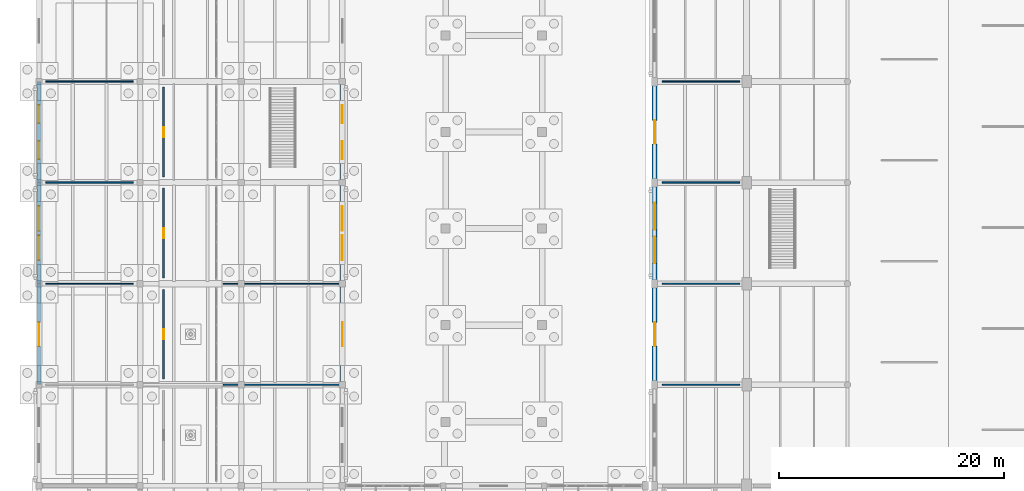
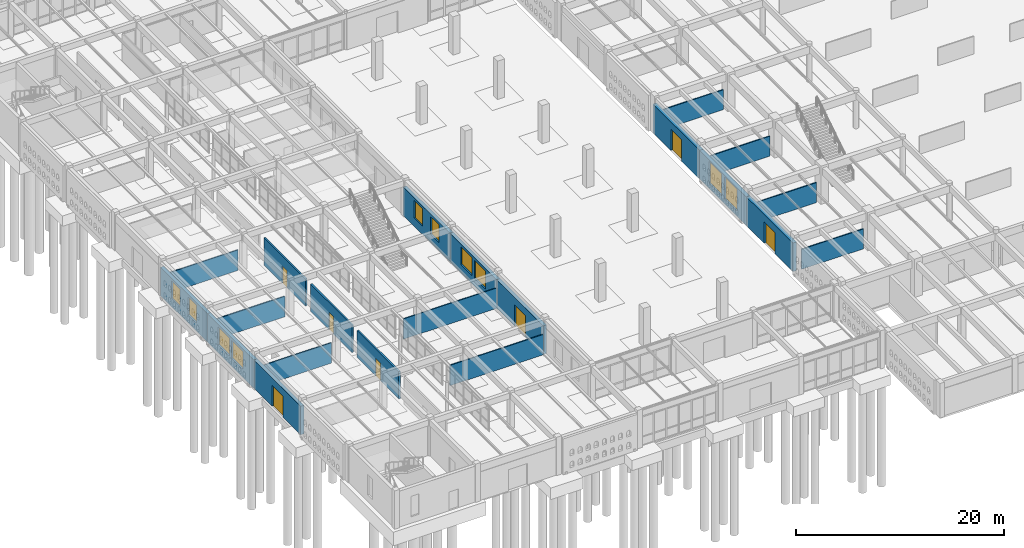
# One storey, part 160 of 186: 21 walls, 10 windows, 7 doors, 17 openings.
"""IFC4 building model written with IfcOpenShell, lengths in metres."""

from ifc_helpers import new_model, si_unit, direction, frame, frame_2d, origin, place, context, subcontext, project, spatial, rectangle, extrude, material, layer, layer_set, type_object, element, fill, save


model = new_model("IFC4")

# Units and contexts
model_context = context("Model", 3, precision=1e-05, world=origin(), true_north=direction((0.0, 1.0)))
body_context = subcontext(model_context, "Body", "Model", "MODEL_VIEW")
ifc_project = project(units=[si_unit("LENGTHUNIT", "METRE"), si_unit("AREAUNIT", "SQUARE_METRE"), si_unit("VOLUMEUNIT", "CUBIC_METRE"), si_unit("PLANEANGLEUNIT", "RADIAN"), si_unit("MASSUNIT", "GRAM", prefix="KILO")], contexts=[model_context])

# Site, building, storey
site_placement = place(None, origin())
site = spatial("IfcSite", under=ifc_project, at=site_placement, CompositionType="ELEMENT")
building_placement = place(site_placement, origin())
building = spatial("IfcBuilding", under=site, at=building_placement, Name="Ornek Quay Market", CompositionType="ELEMENT")
storey_placement = place(building_placement, origin())
storey = spatial("IfcBuildingStorey", under=building, at=storey_placement, Name="L00", CompositionType="ELEMENT", Elevation=0.0)

# Wall, opening, door
ifc_material_1 = material(Name="Autoclaved aerated concrete masonry", Category="masonry")
ifc_layer_1 = layer(ifc_material_1, 0.179931640625, Name="Autoclaved aerated concrete masonry", Category="masonry")
ifc_layer_set_1 = layer_set([ifc_layer_1], Name="Autoclaved aerated concrete masonry")
wall_type_1 = type_object("IfcWallType", Name="WL-CORR-180", PredefinedType="STANDARD", material=ifc_layer_set_1)
wall_1_placement = place(storey_placement, frame((11.10009765625, 38.5, 0.0), z_axis=(0.0, 0.0, 1.0), x_axis=(0.0, 1.0, 0.0)))
wall_1 = element("IfcWall", 1, at=wall_1_placement, inside=storey, type_object=wall_type_1, Name="Interior wall W-INT1-227", PredefinedType="STANDARD", context=body_context, shape_type="SweptSolid", body=[
    extrude(rectangle(XDim=8.0, YDim=0.179931640625, at=frame_2d((4.0, 0.0))), origin(), (0.0, 0.0, 1.0), 3.199951171875),
])
opening_1_placement = place(wall_1_placement, frame((3.550048828125, 0.0, 0.0)))
opening_1 = element("IfcOpeningElement", 2, at=opening_1_placement, cuts=wall_1, Name="Opening ID-05-100", PredefinedType="OPENING", context=body_context, shape_type="SweptSolid", body=[
    extrude(rectangle(XDim=0.89990234375, YDim=2.050048828125, at=frame_2d((0.449951171875, 1.02490234375))), frame((0.0, 0.099853515625, 0.0), z_axis=(0.0, -1.0, 0.0), x_axis=(1.0, 0.0, 0.0)), (0.0, 0.0, 1.0), 0.199951171875),
])
ifc_material_2 = material(Name="Timber market stall service door", Category="wood")
door_type_1 = type_object("IfcDoorType", Name="DR-INT-STALL-900x2050", OperationType="NOTDEFINED", PredefinedType="DOOR", material=ifc_material_2)
door_1_placement = place(opening_1_placement, origin())
door_1 = element("IfcDoor", 3, at=door_1_placement, inside=storey, type_object=door_type_1, Name="Interior door ID-05-100", OperationType="SINGLE_SWING_LEFT", OverallHeight=2.050048828125, OverallWidth=0.89990234375, PredefinedType="DOOR", context=body_context, shape_type="SweptSolid", body=[
    extrude(rectangle(XDim=0.89990234375, YDim=2.050048828125, at=frame_2d((0.449951171875, 1.02490234375))), frame((0.0, 0.02490234375, 0.0), z_axis=(0.0, -1.0, 0.0), x_axis=(1.0, 0.0, 0.0)), (0.0, 0.0, 1.0), 0.050048828125),
])
fill(opening_1, door_1)

wall_2_placement = place(storey_placement, frame((11.10009765625, 47.5, 0.0), z_axis=(0.0, 0.0, 1.0), x_axis=(0.0, 1.0, 0.0)))
wall_2 = element("IfcWall", 4, at=wall_2_placement, inside=storey, type_object=wall_type_1, Name="Interior wall W-INT1-228", PredefinedType="STANDARD", context=body_context, shape_type="SweptSolid", body=[
    extrude(rectangle(XDim=8.0, YDim=0.179931640625, at=frame_2d((4.0, 0.0))), origin(), (0.0, 0.0, 1.0), 3.199951171875),
])
opening_2_placement = place(wall_2_placement, frame((3.550048828125, 0.0, 0.0)))
opening_2 = element("IfcOpeningElement", 5, at=opening_2_placement, cuts=wall_2, Name="Opening ID-05-101", PredefinedType="OPENING", context=body_context, shape_type="SweptSolid", body=[
    extrude(rectangle(XDim=0.89990234375, YDim=2.050048828125, at=frame_2d((0.449951171875, 1.02490234375))), frame((0.0, 0.099853515625, 0.0), z_axis=(0.0, -1.0, 0.0), x_axis=(1.0, 0.0, 0.0)), (0.0, 0.0, 1.0), 0.199951171875),
])
door_2_placement = place(opening_2_placement, origin())
door_2 = element("IfcDoor", 6, at=door_2_placement, inside=storey, type_object=door_type_1, Name="Interior door ID-05-101", OperationType="SINGLE_SWING_RIGHT", OverallHeight=2.050048828125, OverallWidth=0.89990234375, PredefinedType="DOOR", context=body_context, shape_type="SweptSolid", body=[
    extrude(rectangle(XDim=0.89990234375, YDim=2.050048828125, at=frame_2d((0.449951171875, 1.02490234375))), frame((0.0, 0.02490234375, 0.0), z_axis=(0.0, -1.0, 0.0), x_axis=(1.0, 0.0, 0.0)), (0.0, 0.0, 1.0), 0.050048828125),
])
fill(opening_2, door_2)

wall_3_placement = place(storey_placement, frame((11.10009765625, 56.5, 0.0), z_axis=(0.0, 0.0, 1.0), x_axis=(0.0, 1.0, 0.0)))
wall_3 = element("IfcWall", 7, at=wall_3_placement, inside=storey, type_object=wall_type_1, Name="Interior wall W-INT1-229", PredefinedType="STANDARD", context=body_context, shape_type="SweptSolid", body=[
    extrude(rectangle(XDim=8.0, YDim=0.179931640625, at=frame_2d((4.0, 0.0))), origin(), (0.0, 0.0, 1.0), 3.199951171875),
])
opening_3_placement = place(wall_3_placement, frame((3.550048828125, 0.0, 0.0)))
opening_3 = element("IfcOpeningElement", 8, at=opening_3_placement, cuts=wall_3, Name="Opening ID-05-102", PredefinedType="OPENING", context=body_context, shape_type="SweptSolid", body=[
    extrude(rectangle(XDim=0.89990234375, YDim=2.050048828125, at=frame_2d((0.449951171875, 1.02490234375))), frame((0.0, 0.099853515625, 0.0), z_axis=(0.0, -1.0, 0.0), x_axis=(1.0, 0.0, 0.0)), (0.0, 0.0, 1.0), 0.199951171875),
])
door_3_placement = place(opening_3_placement, origin())
door_3 = element("IfcDoor", 9, at=door_3_placement, inside=storey, type_object=door_type_1, Name="Interior door ID-05-102", OperationType="SINGLE_SWING_LEFT", OverallHeight=2.050048828125, OverallWidth=0.89990234375, PredefinedType="DOOR", context=body_context, shape_type="SweptSolid", body=[
    extrude(rectangle(XDim=0.89990234375, YDim=2.050048828125, at=frame_2d((0.449951171875, 1.02490234375))), frame((0.0, 0.02490234375, 0.0), z_axis=(0.0, -1.0, 0.0), x_axis=(1.0, 0.0, 0.0)), (0.0, 0.0, 1.0), 0.050048828125),
])
fill(opening_3, door_3)

ifc_material_3 = material(Name="Frost-resistant facing clay brick M200 F100", Category="masonry")
ifc_layer_2 = layer(ifc_material_3, 0.419921875, Name="Frost-resistant facing clay brick M200 F100", Category="masonry")
ifc_layer_set_2 = layer_set([ifc_layer_2], Name="Frost-resistant facing clay brick M200 F100")
wall_type_2 = type_object("IfcWallType", Name="WL-EXT-HALL-420", PredefinedType="STANDARD", material=ifc_layer_set_2)
wall_4_placement = place(storey_placement, frame((54.800048828125, 38.0, 0.0), z_axis=(0.0, 0.0, 1.0), x_axis=(0.0, 1.0, 0.0)))
wall_4 = element("IfcWall", 10, at=wall_4_placement, inside=storey, type_object=wall_type_2, Name="Exterior wall EW-114", PredefinedType="STANDARD", context=body_context, shape_type="SweptSolid", body=[
    extrude(rectangle(XDim=9.0, YDim=0.419921875, at=frame_2d((4.5, 0.0))), origin(), (0.0, 0.0, 1.0), 3.3701171875),
])
opening_4_placement = place(wall_4_placement, frame((3.449951171875, 0.0, 0.0)))
opening_4 = element("IfcOpeningElement", 11, at=opening_4_placement, cuts=wall_4, Name="Opening ED-02-029", PredefinedType="OPENING", context=body_context, shape_type="SweptSolid", body=[
    extrude(rectangle(XDim=2.10009765625, YDim=2.5, at=frame_2d((1.050048828125, 1.25))), frame((0.0, 0.219970703125, 0.0), z_axis=(0.0, -1.0, 0.0), x_axis=(1.0, 0.0, 0.0)), (0.0, 0.0, 1.0), 0.43994140625),
])
ifc_material_4 = material(Name="Anodised bronze aluminium and triple glass", Category="aluminium")
door_type_2 = type_object("IfcDoorType", Name="DR-EXT-DBL-2100x2500", OperationType="DOUBLE_DOOR_SINGLE_SWING", PredefinedType="DOOR", material=ifc_material_4)
door_4_placement = place(opening_4_placement, origin())
door_4 = element("IfcDoor", 12, at=door_4_placement, inside=storey, type_object=door_type_2, Name="Exterior door ED-02-029", OperationType="DOUBLE_DOOR_SINGLE_SWING", OverallHeight=2.5, OverallWidth=2.10009765625, PredefinedType="DOOR", context=body_context, shape_type="SweptSolid", body=[
    extrude(rectangle(XDim=2.10009765625, YDim=2.5, at=frame_2d((1.050048828125, 1.25))), frame((0.0, 0.02490234375, 0.0), z_axis=(0.0, -1.0, 0.0), x_axis=(1.0, 0.0, 0.0)), (0.0, 0.0, 1.0), 0.050048828125),
])
fill(opening_4, door_4)

# Wall, openings, windows
wall_5_placement = place(storey_placement, frame((54.800048828125, 47.0, 0.0), z_axis=(0.0, 0.0, 1.0), x_axis=(0.0, 1.0, 0.0)))
wall_5 = element("IfcWall", 13, at=wall_5_placement, inside=storey, type_object=wall_type_2, Name="Exterior wall EW-115", PredefinedType="STANDARD", context=body_context, shape_type="SweptSolid", body=[
    extrude(rectangle(XDim=9.0, YDim=0.419921875, at=frame_2d((4.5, 0.0))), origin(), (0.0, 0.0, 1.0), 3.3701171875),
])
opening_5_placement = place(wall_5_placement, frame((1.800048828125, 0.0, 0.590087890625)))
opening_5 = element("IfcOpeningElement", 14, at=opening_5_placement, cuts=wall_5, Name="Opening W-01-074", PredefinedType="OPENING", context=body_context, shape_type="SweptSolid", body=[
    extrude(rectangle(XDim=2.39990234375, YDim=2.60009765625, at=frame_2d((1.199951171875, 1.300048828125))), frame((0.0, 0.219970703125, 0.0), z_axis=(0.0, -1.0, 0.0), x_axis=(1.0, 0.0, 0.0)), (0.0, 0.0, 1.0), 0.43994140625),
])
opening_6_placement = place(wall_5_placement, frame((4.800048828125, 0.0, 0.590087890625)))
opening_6 = element("IfcOpeningElement", 15, at=opening_6_placement, cuts=wall_5, Name="Opening W-01-075", PredefinedType="OPENING", context=body_context, shape_type="SweptSolid", body=[
    extrude(rectangle(XDim=2.39990234375, YDim=2.60009765625, at=frame_2d((1.199951171875, 1.300048828125))), frame((0.0, 0.219970703125, 0.0), z_axis=(0.0, -1.0, 0.0), x_axis=(1.0, 0.0, 0.0)), (0.0, 0.0, 1.0), 0.43994140625),
])
ifc_material_5 = material(Name="Thermally broken bronze aluminium and triple low-e glass", Category="aluminium")
window_type_1 = type_object("IfcWindowType", Name="WN-HALL-2400x2600", PartitioningType="DOUBLE_PANEL_VERTICAL", PredefinedType="WINDOW", material=ifc_material_5)
window_1_placement = place(opening_5_placement, origin())
window_1 = element("IfcWindow", 16, at=window_1_placement, inside=storey, type_object=window_type_1, Name="Window W-01-074", OverallHeight=2.60009765625, OverallWidth=2.39990234375, PartitioningType="SINGLE_PANEL", PredefinedType="WINDOW", context=body_context, shape_type="SweptSolid", body=[
    extrude(rectangle(XDim=2.39990234375, YDim=2.60009765625, at=frame_2d((1.199951171875, 1.300048828125))), frame((0.0, 0.030029296875, 0.0), z_axis=(0.0, -1.0, 0.0), x_axis=(1.0, 0.0, 0.0)), (0.0, 0.0, 1.0), 0.06005859375),
])
fill(opening_5, window_1)
window_2_placement = place(opening_6_placement, origin())
window_2 = element("IfcWindow", 17, at=window_2_placement, inside=storey, type_object=window_type_1, Name="Window W-01-075", OverallHeight=2.60009765625, OverallWidth=2.39990234375, PartitioningType="SINGLE_PANEL", PredefinedType="WINDOW", context=body_context, shape_type="SweptSolid", body=[
    extrude(rectangle(XDim=2.39990234375, YDim=2.60009765625, at=frame_2d((1.199951171875, 1.300048828125))), frame((0.0, 0.030029296875, 0.0), z_axis=(0.0, -1.0, 0.0), x_axis=(1.0, 0.0, 0.0)), (0.0, 0.0, 1.0), 0.06005859375),
])
fill(opening_6, window_2)

# Wall, opening, door
wall_6_placement = place(storey_placement, frame((54.800048828125, 56.0, 0.0), z_axis=(0.0, 0.0, 1.0), x_axis=(0.0, 1.0, 0.0)))
wall_6 = element("IfcWall", 18, at=wall_6_placement, inside=storey, type_object=wall_type_2, Name="Exterior wall EW-116", PredefinedType="STANDARD", context=body_context, shape_type="SweptSolid", body=[
    extrude(rectangle(XDim=9.0, YDim=0.419921875, at=frame_2d((4.5, 0.0))), origin(), (0.0, 0.0, 1.0), 3.3701171875),
])
opening_7_placement = place(wall_6_placement, frame((3.449951171875, 0.0, 0.0)))
opening_7 = element("IfcOpeningElement", 19, at=opening_7_placement, cuts=wall_6, Name="Opening ED-02-030", PredefinedType="OPENING", context=body_context, shape_type="SweptSolid", body=[
    extrude(rectangle(XDim=2.10009765625, YDim=2.5, at=frame_2d((1.050048828125, 1.25))), frame((0.0, 0.219970703125, 0.0), z_axis=(0.0, -1.0, 0.0), x_axis=(1.0, 0.0, 0.0)), (0.0, 0.0, 1.0), 0.43994140625),
])
door_5_placement = place(opening_7_placement, origin())
door_5 = element("IfcDoor", 20, at=door_5_placement, inside=storey, type_object=door_type_2, Name="Exterior door ED-02-030", OperationType="DOUBLE_DOOR_SINGLE_SWING", OverallHeight=2.5, OverallWidth=2.10009765625, PredefinedType="DOOR", context=body_context, shape_type="SweptSolid", body=[
    extrude(rectangle(XDim=2.10009765625, YDim=2.5, at=frame_2d((1.050048828125, 1.25))), frame((0.0, 0.02490234375, 0.0), z_axis=(0.0, -1.0, 0.0), x_axis=(1.0, 0.0, 0.0)), (0.0, 0.0, 1.0), 0.050048828125),
])
fill(opening_7, door_5)

ifc_layer_3 = layer(ifc_material_3, 0.3798828125, Name="Frost-resistant facing clay brick M200 F100", Category="masonry")
ifc_layer_set_3 = layer_set([ifc_layer_3], Name="Frost-resistant facing clay brick M200 F100")
wall_type_3 = type_object("IfcWallType", Name="WL-EXT-WING-380", PredefinedType="STANDARD", material=ifc_layer_set_3)
wall_7_placement = place(storey_placement, frame((0.0, 38.0, 0.0), z_axis=(0.0, 0.0, 1.0), x_axis=(0.0, 1.0, 0.0)))
wall_7 = element("IfcWall", 21, at=wall_7_placement, inside=storey, type_object=wall_type_3, Name="Exterior wall EW-041", PredefinedType="STANDARD", context=body_context, shape_type="SweptSolid", body=[
    extrude(rectangle(XDim=9.0, YDim=0.3798828125, at=frame_2d((4.5, 0.0))), origin(), (0.0, 0.0, 1.0), 3.35009765625),
])
opening_8_placement = place(wall_7_placement, frame((3.449951171875, 0.0, 0.0)))
opening_8 = element("IfcOpeningElement", 22, at=opening_8_placement, cuts=wall_7, Name="Opening ED-02-002", PredefinedType="OPENING", context=body_context, shape_type="SweptSolid", body=[
    extrude(rectangle(XDim=2.10009765625, YDim=2.5, at=frame_2d((1.050048828125, 1.25))), frame((0.0, 0.199951171875, 0.0), z_axis=(0.0, -1.0, 0.0), x_axis=(1.0, 0.0, 0.0)), (0.0, 0.0, 1.0), 0.39990234375),
])
door_6_placement = place(opening_8_placement, origin())
door_6 = element("IfcDoor", 23, at=door_6_placement, inside=storey, type_object=door_type_2, Name="Exterior door ED-02-002", OperationType="DOUBLE_DOOR_SINGLE_SWING", OverallHeight=2.5, OverallWidth=2.10009765625, PredefinedType="DOOR", context=body_context, shape_type="SweptSolid", body=[
    extrude(rectangle(XDim=2.10009765625, YDim=2.5, at=frame_2d((1.050048828125, 1.25))), frame((0.0, 0.02490234375, 0.0), z_axis=(0.0, -1.0, 0.0), x_axis=(1.0, 0.0, 0.0)), (0.0, 0.0, 1.0), 0.050048828125),
])
fill(opening_8, door_6)

# Wall, openings, windows
wall_8_placement = place(storey_placement, frame((0.0, 47.0, 0.0), z_axis=(0.0, 0.0, 1.0), x_axis=(0.0, 1.0, 0.0)))
wall_8 = element("IfcWall", 24, at=wall_8_placement, inside=storey, type_object=wall_type_3, Name="Exterior wall EW-042", PredefinedType="STANDARD", context=body_context, shape_type="SweptSolid", body=[
    extrude(rectangle(XDim=9.0, YDim=0.3798828125, at=frame_2d((4.5, 0.0))), origin(), (0.0, 0.0, 1.0), 3.35009765625),
])
opening_9_placement = place(wall_8_placement, frame((2.10009765625, 0.0, 0.949951171875)))
opening_9 = element("IfcOpeningElement", 25, at=opening_9_placement, cuts=wall_8, Name="Opening W-12-004", PredefinedType="OPENING", context=body_context, shape_type="SweptSolid", body=[
    extrude(rectangle(XDim=2.199951171875, YDim=2.10009765625, at=frame_2d((1.10009765625, 1.050048828125))), frame((0.0, 0.199951171875, 0.0), z_axis=(0.0, -1.0, 0.0), x_axis=(1.0, 0.0, 0.0)), (0.0, 0.0, 1.0), 0.39990234375),
])
opening_10_placement = place(wall_8_placement, frame((4.699951171875, 0.0, 0.949951171875)))
opening_10 = element("IfcOpeningElement", 26, at=opening_10_placement, cuts=wall_8, Name="Opening W-12-005", PredefinedType="OPENING", context=body_context, shape_type="SweptSolid", body=[
    extrude(rectangle(XDim=2.199951171875, YDim=2.10009765625, at=frame_2d((1.10009765625, 1.050048828125))), frame((0.0, 0.199951171875, 0.0), z_axis=(0.0, -1.0, 0.0), x_axis=(1.0, 0.0, 0.0)), (0.0, 0.0, 1.0), 0.39990234375),
])
window_type_2 = type_object("IfcWindowType", Name="WN-WW-2200x2100", PartitioningType="DOUBLE_PANEL_VERTICAL", PredefinedType="WINDOW", material=ifc_material_5)
window_3_placement = place(opening_9_placement, origin())
window_3 = element("IfcWindow", 27, at=window_3_placement, inside=storey, type_object=window_type_2, Name="Window W-12-004", OverallHeight=2.10009765625, OverallWidth=2.199951171875, PartitioningType="SINGLE_PANEL", PredefinedType="WINDOW", context=body_context, shape_type="SweptSolid", body=[
    extrude(rectangle(XDim=2.199951171875, YDim=2.10009765625, at=frame_2d((1.10009765625, 1.050048828125))), frame((0.0, 0.030029296875, 0.0), z_axis=(0.0, -1.0, 0.0), x_axis=(1.0, 0.0, 0.0)), (0.0, 0.0, 1.0), 0.06005859375),
])
fill(opening_9, window_3)
window_4_placement = place(opening_10_placement, origin())
window_4 = element("IfcWindow", 28, at=window_4_placement, inside=storey, type_object=window_type_2, Name="Window W-12-005", OverallHeight=2.10009765625, OverallWidth=2.199951171875, PartitioningType="SINGLE_PANEL", PredefinedType="WINDOW", context=body_context, shape_type="SweptSolid", body=[
    extrude(rectangle(XDim=2.199951171875, YDim=2.10009765625, at=frame_2d((1.10009765625, 1.050048828125))), frame((0.0, 0.030029296875, 0.0), z_axis=(0.0, -1.0, 0.0), x_axis=(1.0, 0.0, 0.0)), (0.0, 0.0, 1.0), 0.06005859375),
])
fill(opening_10, window_4)

wall_9_placement = place(storey_placement, frame((0.0, 56.0, 0.0), z_axis=(0.0, 0.0, 1.0), x_axis=(0.0, 1.0, 0.0)))
wall_9 = element("IfcWall", 29, at=wall_9_placement, inside=storey, type_object=wall_type_3, Name="Exterior wall EW-043", PredefinedType="STANDARD", context=body_context, shape_type="SweptSolid", body=[
    extrude(rectangle(XDim=9.0, YDim=0.3798828125, at=frame_2d((4.5, 0.0))), origin(), (0.0, 0.0, 1.0), 3.35009765625),
])
opening_11_placement = place(wall_9_placement, frame((2.10009765625, 0.0, 0.949951171875)))
opening_11 = element("IfcOpeningElement", 30, at=opening_11_placement, cuts=wall_9, Name="Opening W-13-006", PredefinedType="OPENING", context=body_context, shape_type="SweptSolid", body=[
    extrude(rectangle(XDim=1.60009765625, YDim=2.10009765625, at=frame_2d((0.800048828125, 1.050048828125))), frame((0.0, 0.199951171875, 0.0), z_axis=(0.0, -1.0, 0.0), x_axis=(1.0, 0.0, 0.0)), (0.0, 0.0, 1.0), 0.39990234375),
])
opening_12_placement = place(wall_9_placement, frame((5.300048828125, 0.0, 0.949951171875)))
opening_12 = element("IfcOpeningElement", 31, at=opening_12_placement, cuts=wall_9, Name="Opening W-13-007", PredefinedType="OPENING", context=body_context, shape_type="SweptSolid", body=[
    extrude(rectangle(XDim=1.60009765625, YDim=2.10009765625, at=frame_2d((0.800048828125, 1.050048828125))), frame((0.0, 0.199951171875, 0.0), z_axis=(0.0, -1.0, 0.0), x_axis=(1.0, 0.0, 0.0)), (0.0, 0.0, 1.0), 0.39990234375),
])
window_type_3 = type_object("IfcWindowType", Name="WN-WW-1600x2100", PartitioningType="DOUBLE_PANEL_VERTICAL", PredefinedType="WINDOW", material=ifc_material_5)
window_5_placement = place(opening_11_placement, origin())
window_5 = element("IfcWindow", 32, at=window_5_placement, inside=storey, type_object=window_type_3, Name="Window W-13-006", OverallHeight=2.10009765625, OverallWidth=1.60009765625, PartitioningType="SINGLE_PANEL", PredefinedType="WINDOW", context=body_context, shape_type="SweptSolid", body=[
    extrude(rectangle(XDim=1.60009765625, YDim=2.10009765625, at=frame_2d((0.800048828125, 1.050048828125))), frame((0.0, 0.030029296875, 0.0), z_axis=(0.0, -1.0, 0.0), x_axis=(1.0, 0.0, 0.0)), (0.0, 0.0, 1.0), 0.06005859375),
])
fill(opening_11, window_5)
window_6_placement = place(opening_12_placement, origin())
window_6 = element("IfcWindow", 33, at=window_6_placement, inside=storey, type_object=window_type_3, Name="Window W-13-007", OverallHeight=2.10009765625, OverallWidth=1.60009765625, PartitioningType="SINGLE_PANEL", PredefinedType="WINDOW", context=body_context, shape_type="SweptSolid", body=[
    extrude(rectangle(XDim=1.60009765625, YDim=2.10009765625, at=frame_2d((0.800048828125, 1.050048828125))), frame((0.0, 0.030029296875, 0.0), z_axis=(0.0, -1.0, 0.0), x_axis=(1.0, 0.0, 0.0)), (0.0, 0.0, 1.0), 0.06005859375),
])
fill(opening_12, window_6)

# Wall, opening, door
wall_10_placement = place(storey_placement, frame((27.0, 38.0, 0.0), z_axis=(0.0, 0.0, 1.0), x_axis=(0.0, 1.0, 0.0)))
wall_10 = element("IfcWall", 34, at=wall_10_placement, inside=storey, type_object=wall_type_3, Name="Exterior wall EW-050", PredefinedType="STANDARD", context=body_context, shape_type="SweptSolid", body=[
    extrude(rectangle(XDim=9.0, YDim=0.3798828125, at=frame_2d((4.5, 0.0))), origin(), (0.0, 0.0, 1.0), 3.35009765625),
])
opening_13_placement = place(wall_10_placement, frame((3.449951171875, 0.0, 0.0)))
opening_13 = element("IfcOpeningElement", 35, at=opening_13_placement, cuts=wall_10, Name="Opening ED-02-004", PredefinedType="OPENING", context=body_context, shape_type="SweptSolid", body=[
    extrude(rectangle(XDim=2.10009765625, YDim=2.5, at=frame_2d((1.050048828125, 1.25))), frame((0.0, 0.199951171875, 0.0), z_axis=(0.0, -1.0, 0.0), x_axis=(1.0, 0.0, 0.0)), (0.0, 0.0, 1.0), 0.39990234375),
])
door_7_placement = place(opening_13_placement, origin())
door_7 = element("IfcDoor", 36, at=door_7_placement, inside=storey, type_object=door_type_2, Name="Exterior door ED-02-004", OperationType="DOUBLE_DOOR_SINGLE_SWING", OverallHeight=2.5, OverallWidth=2.10009765625, PredefinedType="DOOR", context=body_context, shape_type="SweptSolid", body=[
    extrude(rectangle(XDim=2.10009765625, YDim=2.5, at=frame_2d((1.050048828125, 1.25))), frame((0.0, 0.02490234375, 0.0), z_axis=(0.0, -1.0, 0.0), x_axis=(1.0, 0.0, 0.0)), (0.0, 0.0, 1.0), 0.050048828125),
])
fill(opening_13, door_7)

# Wall, openings, windows
wall_11_placement = place(storey_placement, frame((27.0, 47.0, 0.0), z_axis=(0.0, 0.0, 1.0), x_axis=(0.0, 1.0, 0.0)))
wall_11 = element("IfcWall", 37, at=wall_11_placement, inside=storey, type_object=wall_type_3, Name="Exterior wall EW-051", PredefinedType="STANDARD", context=body_context, shape_type="SweptSolid", body=[
    extrude(rectangle(XDim=9.0, YDim=0.3798828125, at=frame_2d((4.5, 0.0))), origin(), (0.0, 0.0, 1.0), 3.35009765625),
])
opening_14_placement = place(wall_11_placement, frame((2.10009765625, 0.0, 0.949951171875)))
opening_14 = element("IfcOpeningElement", 38, at=opening_14_placement, cuts=wall_11, Name="Opening W-12-017", PredefinedType="OPENING", context=body_context, shape_type="SweptSolid", body=[
    extrude(rectangle(XDim=2.199951171875, YDim=2.10009765625, at=frame_2d((1.10009765625, 1.050048828125))), frame((0.0, 0.199951171875, 0.0), z_axis=(0.0, -1.0, 0.0), x_axis=(1.0, 0.0, 0.0)), (0.0, 0.0, 1.0), 0.39990234375),
])
opening_15_placement = place(wall_11_placement, frame((4.699951171875, 0.0, 0.949951171875)))
opening_15 = element("IfcOpeningElement", 39, at=opening_15_placement, cuts=wall_11, Name="Opening W-12-018", PredefinedType="OPENING", context=body_context, shape_type="SweptSolid", body=[
    extrude(rectangle(XDim=2.199951171875, YDim=2.10009765625, at=frame_2d((1.10009765625, 1.050048828125))), frame((0.0, 0.199951171875, 0.0), z_axis=(0.0, -1.0, 0.0), x_axis=(1.0, 0.0, 0.0)), (0.0, 0.0, 1.0), 0.39990234375),
])
window_7_placement = place(opening_14_placement, origin())
window_7 = element("IfcWindow", 40, at=window_7_placement, inside=storey, type_object=window_type_2, Name="Window W-12-017", OverallHeight=2.10009765625, OverallWidth=2.199951171875, PartitioningType="SINGLE_PANEL", PredefinedType="WINDOW", context=body_context, shape_type="SweptSolid", body=[
    extrude(rectangle(XDim=2.199951171875, YDim=2.10009765625, at=frame_2d((1.10009765625, 1.050048828125))), frame((0.0, 0.030029296875, 0.0), z_axis=(0.0, -1.0, 0.0), x_axis=(1.0, 0.0, 0.0)), (0.0, 0.0, 1.0), 0.06005859375),
])
fill(opening_14, window_7)
window_8_placement = place(opening_15_placement, origin())
window_8 = element("IfcWindow", 41, at=window_8_placement, inside=storey, type_object=window_type_2, Name="Window W-12-018", OverallHeight=2.10009765625, OverallWidth=2.199951171875, PartitioningType="SINGLE_PANEL", PredefinedType="WINDOW", context=body_context, shape_type="SweptSolid", body=[
    extrude(rectangle(XDim=2.199951171875, YDim=2.10009765625, at=frame_2d((1.10009765625, 1.050048828125))), frame((0.0, 0.030029296875, 0.0), z_axis=(0.0, -1.0, 0.0), x_axis=(1.0, 0.0, 0.0)), (0.0, 0.0, 1.0), 0.06005859375),
])
fill(opening_15, window_8)

wall_12_placement = place(storey_placement, frame((27.0, 56.0, 0.0), z_axis=(0.0, 0.0, 1.0), x_axis=(0.0, 1.0, 0.0)))
wall_12 = element("IfcWall", 42, at=wall_12_placement, inside=storey, type_object=wall_type_3, Name="Exterior wall EW-052", PredefinedType="STANDARD", context=body_context, shape_type="SweptSolid", body=[
    extrude(rectangle(XDim=9.0, YDim=0.3798828125, at=frame_2d((4.5, 0.0))), origin(), (0.0, 0.0, 1.0), 3.35009765625),
])
opening_16_placement = place(wall_12_placement, frame((2.10009765625, 0.0, 0.949951171875)))
opening_16 = element("IfcOpeningElement", 43, at=opening_16_placement, cuts=wall_12, Name="Opening W-13-019", PredefinedType="OPENING", context=body_context, shape_type="SweptSolid", body=[
    extrude(rectangle(XDim=1.60009765625, YDim=2.10009765625, at=frame_2d((0.800048828125, 1.050048828125))), frame((0.0, 0.199951171875, 0.0), z_axis=(0.0, -1.0, 0.0), x_axis=(1.0, 0.0, 0.0)), (0.0, 0.0, 1.0), 0.39990234375),
])
opening_17_placement = place(wall_12_placement, frame((5.300048828125, 0.0, 0.949951171875)))
opening_17 = element("IfcOpeningElement", 44, at=opening_17_placement, cuts=wall_12, Name="Opening W-13-020", PredefinedType="OPENING", context=body_context, shape_type="SweptSolid", body=[
    extrude(rectangle(XDim=1.60009765625, YDim=2.10009765625, at=frame_2d((0.800048828125, 1.050048828125))), frame((0.0, 0.199951171875, 0.0), z_axis=(0.0, -1.0, 0.0), x_axis=(1.0, 0.0, 0.0)), (0.0, 0.0, 1.0), 0.39990234375),
])
window_9_placement = place(opening_16_placement, origin())
window_9 = element("IfcWindow", 45, at=window_9_placement, inside=storey, type_object=window_type_3, Name="Window W-13-019", OverallHeight=2.10009765625, OverallWidth=1.60009765625, PartitioningType="SINGLE_PANEL", PredefinedType="WINDOW", context=body_context, shape_type="SweptSolid", body=[
    extrude(rectangle(XDim=1.60009765625, YDim=2.10009765625, at=frame_2d((0.800048828125, 1.050048828125))), frame((0.0, 0.030029296875, 0.0), z_axis=(0.0, -1.0, 0.0), x_axis=(1.0, 0.0, 0.0)), (0.0, 0.0, 1.0), 0.06005859375),
])
fill(opening_16, window_9)
window_10_placement = place(opening_17_placement, origin())
window_10 = element("IfcWindow", 46, at=window_10_placement, inside=storey, type_object=window_type_3, Name="Window W-13-020", OverallHeight=2.10009765625, OverallWidth=1.60009765625, PartitioningType="SINGLE_PANEL", PredefinedType="WINDOW", context=body_context, shape_type="SweptSolid", body=[
    extrude(rectangle(XDim=1.60009765625, YDim=2.10009765625, at=frame_2d((0.800048828125, 1.050048828125))), frame((0.0, 0.030029296875, 0.0), z_axis=(0.0, -1.0, 0.0), x_axis=(1.0, 0.0, 0.0)), (0.0, 0.0, 1.0), 0.06005859375),
])
fill(opening_17, window_10)

# Walls
ifc_material_6 = material(Name="Demountable timber-framed stall partition", Category="wood")
ifc_layer_4 = layer(ifc_material_6, 0.10009765625, Name="Demountable timber-framed stall partition", Category="wood")
ifc_layer_set_4 = layer_set([ifc_layer_4], Name="Demountable timber-framed stall partition")
wall_type_4 = type_object("IfcWallType", Name="WL-STALL-100", PredefinedType="PARTITIONING", material=ifc_layer_set_4)
wall_13_placement = place(storey_placement, frame((0.60009765625, 47.0, 0.0), z_axis=(0.0, 0.0, 1.0), x_axis=(1.0, 0.0, 0.0)))
element("IfcWall", 47, at=wall_13_placement, inside=storey, type_object=wall_type_4, Name="Interior wall W-STL2-236", PredefinedType="PARTITIONING", context=body_context, shape_type="SweptSolid", body=[
    extrude(rectangle(XDim=7.7998046875, YDim=0.10009765625, at=frame_2d((3.89990234375, 0.0))), origin(), (0.0, 0.0, 1.0), 2.39990234375),
])
wall_14_placement = place(storey_placement, frame((16.39990234375, 47.0, 0.0), z_axis=(0.0, 0.0, 1.0), x_axis=(1.0, 0.0, 0.0)))
element("IfcWall", 48, at=wall_14_placement, inside=storey, type_object=wall_type_4, Name="Interior wall W-STL2-237", PredefinedType="PARTITIONING", context=body_context, shape_type="SweptSolid", body=[
    extrude(rectangle(XDim=10.400146484375, YDim=0.10009765625, at=frame_2d((5.2001953125, 0.0))), origin(), (0.0, 0.0, 1.0), 2.39990234375),
])
wall_15_placement = place(storey_placement, frame((0.60009765625, 65.0, 0.0), z_axis=(0.0, 0.0, 1.0), x_axis=(1.0, 0.0, 0.0)))
element("IfcWall", 49, at=wall_15_placement, inside=storey, type_object=wall_type_4, Name="Interior wall W-STL2-239", PredefinedType="PARTITIONING", context=body_context, shape_type="SweptSolid", body=[
    extrude(rectangle(XDim=7.7998046875, YDim=0.10009765625, at=frame_2d((3.89990234375, 0.0))), origin(), (0.0, 0.0, 1.0), 2.39990234375),
])
ifc_material_7 = material(Name="Fair-faced brick stall divider wall", Category="masonry")
ifc_layer_5 = layer(ifc_material_7, 0.114990234375, Name="Fair-faced brick stall divider wall", Category="masonry")
ifc_layer_set_5 = layer_set([ifc_layer_5], Name="Fair-faced brick stall divider wall")
wall_type_5 = type_object("IfcWallType", Name="WL-STALL-115", PredefinedType="PARTITIONING", material=ifc_layer_set_5)
wall_16_placement = place(storey_placement, frame((16.39990234375, 38.0, 0.0), z_axis=(0.0, 0.0, 1.0), x_axis=(1.0, 0.0, 0.0)))
element("IfcWall", 50, at=wall_16_placement, inside=storey, type_object=wall_type_5, Name="Interior wall W-STL1-235", PredefinedType="PARTITIONING", context=body_context, shape_type="SweptSolid", body=[
    extrude(rectangle(XDim=10.400146484375, YDim=0.114990234375, at=frame_2d((5.2001953125, 0.0))), origin(), (0.0, 0.0, 1.0), 2.39990234375),
])
wall_17_placement = place(storey_placement, frame((0.60009765625, 56.0, 0.0), z_axis=(0.0, 0.0, 1.0), x_axis=(1.0, 0.0, 0.0)))
element("IfcWall", 51, at=wall_17_placement, inside=storey, type_object=wall_type_5, Name="Interior wall W-STL1-238", PredefinedType="PARTITIONING", context=body_context, shape_type="SweptSolid", body=[
    extrude(rectangle(XDim=7.7998046875, YDim=0.114990234375, at=frame_2d((3.89990234375, 0.0))), origin(), (0.0, 0.0, 1.0), 2.39990234375),
])
for number, where, z_axis, x_axis, name in (
    (52, (55.5, 38.0, 0.0), (0.0, 0.0, 1.0), (1.0, 0.0, 0.0), "Interior wall W-STL1-273"),
    (53, (55.5, 47.0, 0.0), (0.0, 0.0, 1.0), (1.0, 0.0, 0.0), "Interior wall W-STL1-276"),
    (54, (55.5, 56.0, 0.0), (0.0, 0.0, 1.0), (1.0, 0.0, 0.0), "Interior wall W-STL1-280"),
    (55, (55.5, 65.0, 0.0), (0.0, 0.0, 1.0), (1.0, 0.0, 0.0), "Interior wall W-STL1-284"),
):
    element("IfcWall", number, at=place(storey_placement, frame(where, z_axis=z_axis, x_axis=x_axis)), inside=storey, type_object=wall_type_5, Name=name, PredefinedType="PARTITIONING", context=body_context, shape_type="SweptSolid", body=[
        extrude(rectangle(XDim=6.89990234375, YDim=0.114990234375, at=frame_2d((3.449951171875, 0.0))), origin(), (0.0, 0.0, 1.0), 2.35009765625),
    ])

save(model, "model.ifc")
